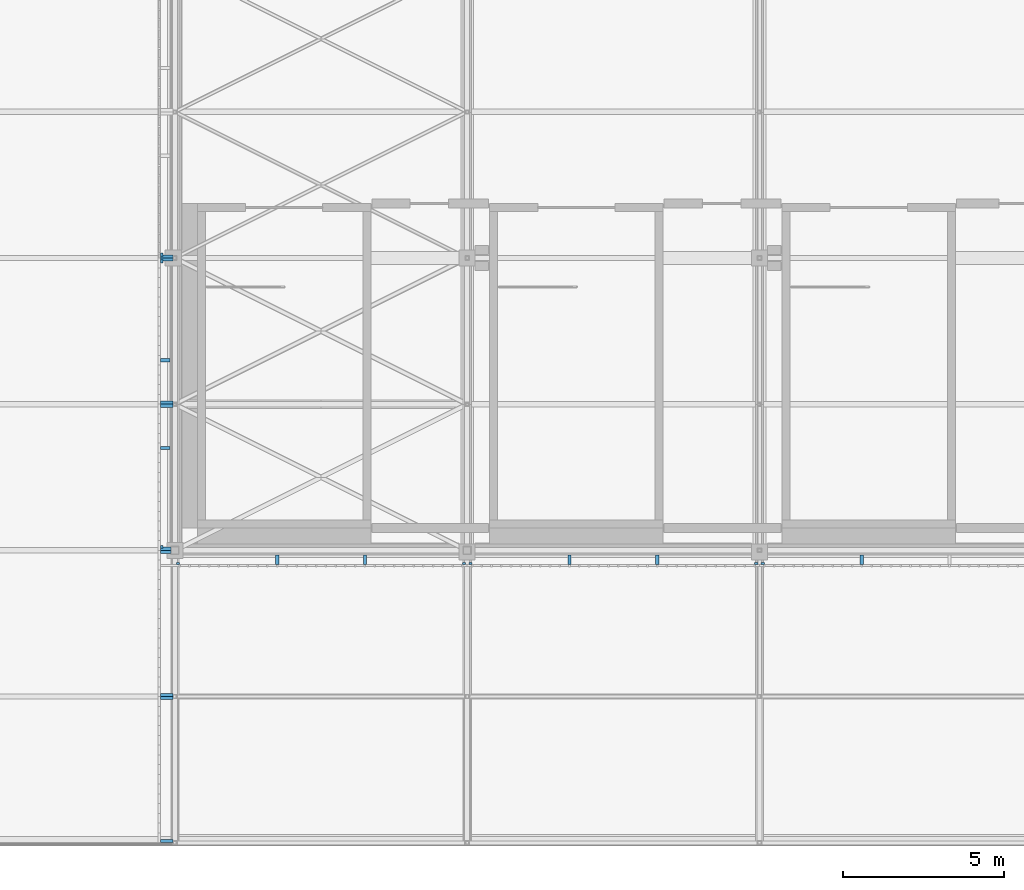
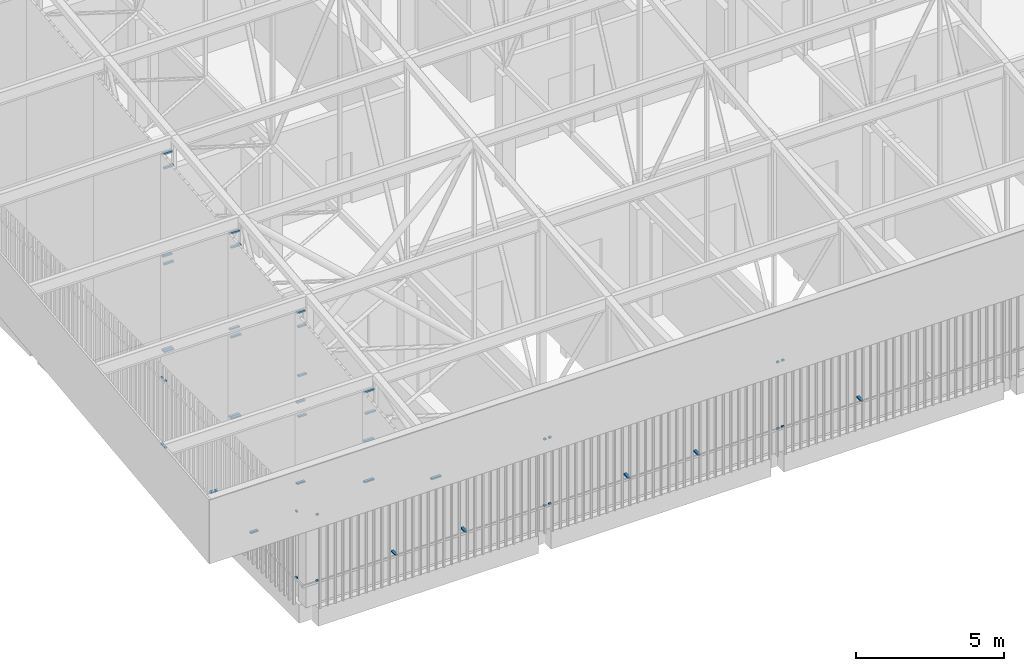
# One storey, part 439 of 500: 46 discrete accessories.
"""IFC4 building model written with IfcOpenShell, lengths in metres."""

from ifc_helpers import new_model, si_unit, direction, frame, origin, origin_2d, place, context, subcontext, project, spatial, rectangle, extrude, material, type_object, element, save


model = new_model("IFC4")

# Units and contexts
model_context = context("Model", 3, precision=1e-05, world=origin(), true_north=direction((0.0, 1.0)))
body_context = subcontext(model_context, "Body", "Model", "MODEL_VIEW")
ifc_project = project(units=[si_unit("LENGTHUNIT", "METRE"), si_unit("AREAUNIT", "SQUARE_METRE"), si_unit("VOLUMEUNIT", "CUBIC_METRE"), si_unit("PLANEANGLEUNIT", "RADIAN"), si_unit("MASSUNIT", "GRAM", prefix="KILO")], contexts=[model_context])

# Site, building, storey
site_placement = place(None, origin())
site = spatial("IfcSite", under=ifc_project, at=site_placement, CompositionType="ELEMENT")
building_placement = place(site_placement, origin())
building = spatial("IfcBuilding", under=site, at=building_placement, Name="Shirokan Park Arena", CompositionType="ELEMENT")
storey_placement = place(building_placement, frame((0.0, 0.0, 29.1201171875)))
storey = spatial("IfcBuildingStorey", under=building, at=storey_placement, Name="L06", CompositionType="ELEMENT", Elevation=29.1201171875)

# Discrete accessories
ifc_material = material(Name="Steel S355", Category="steel")
discrete_accessory_type = type_object("IfcDiscreteAccessoryType", Name="Veil bracket 100x60", PredefinedType="BRACKET", material=ifc_material)
for number, where, z_axis, x_axis, name in (
    (1, (0.10009765625, -0.409912109375, 1.06982421875), (0.0, 0.0, 1.0), (1.0, 0.0, 0.0), "Veil bracket south bay 1 L06 1"),
    (2, (9.0, -0.409912109375, 1.06982421875), (0.0, 0.0, 1.0), (1.0, 0.0, 0.0), "Veil bracket south bay 1 L06 2"),
    (3, (0.10009765625, -0.409912109375, 3.81982421875), (0.0, 0.0, 1.0), (1.0, 0.0, 0.0), "Veil bracket south bay 1 L06 3"),
    (4, (9.0, -0.409912109375, 3.81982421875), (0.0, 0.0, 1.0), (1.0, 0.0, 0.0), "Veil bracket south bay 1 L06 4"),
):
    element("IfcDiscreteAccessory", number, at=place(storey_placement, frame(where, z_axis=z_axis, x_axis=x_axis)), inside=storey, type_object=discrete_accessory_type, Name=name, PredefinedType="BRACKET", context=body_context, shape_type="SweptSolid", body=[
        extrude(rectangle(XDim=0.10009765625, YDim=0.070068359375, at=origin_2d()), origin(), (0.0, 0.0, 1.0), 0.06005859375),
    ])
for number, where, z_axis, x_axis, name in (
    (5, (3.18505859375, -0.297607421875, 1.06982421875), (0.0, 0.0, 1.0), (1.0, 0.0, 0.0), "Veil bracket south bay 1 L06 wall 1"),
    (6, (5.9150390625, -0.297607421875, 1.06982421875), (0.0, 0.0, 1.0), (1.0, 0.0, 0.0), "Veil bracket south bay 1 L06 wall 2"),
):
    element("IfcDiscreteAccessory", number, at=place(storey_placement, frame(where, z_axis=z_axis, x_axis=x_axis)), inside=storey, type_object=discrete_accessory_type, Name=name, PredefinedType="BRACKET", context=body_context, shape_type="SweptSolid", body=[
        extrude(rectangle(XDim=0.10009765625, YDim=0.294921875, at=origin_2d()), origin(), (0.0, 0.0, 1.0), 0.06005859375),
    ])
for number, where, z_axis, x_axis, name in (
    (7, (9.199951171875, -0.409912109375, 1.06982421875), (0.0, 0.0, 1.0), (1.0, 0.0, 0.0), "Veil bracket south bay 2 L06 1"),
    (8, (18.10009765625, -0.409912109375, 1.06982421875), (0.0, 0.0, 1.0), (1.0, 0.0, 0.0), "Veil bracket south bay 2 L06 2"),
    (9, (9.199951171875, -0.409912109375, 3.81982421875), (0.0, 0.0, 1.0), (1.0, 0.0, 0.0), "Veil bracket south bay 2 L06 3"),
    (10, (18.10009765625, -0.409912109375, 3.81982421875), (0.0, 0.0, 1.0), (1.0, 0.0, 0.0), "Veil bracket south bay 2 L06 4"),
):
    element("IfcDiscreteAccessory", number, at=place(storey_placement, frame(where, z_axis=z_axis, x_axis=x_axis)), inside=storey, type_object=discrete_accessory_type, Name=name, PredefinedType="BRACKET", context=body_context, shape_type="SweptSolid", body=[
        extrude(rectangle(XDim=0.10009765625, YDim=0.070068359375, at=origin_2d()), origin(), (0.0, 0.0, 1.0), 0.06005859375),
    ])
for number, where, z_axis, x_axis, name in (
    (11, (12.284912109375, -0.297607421875, 1.06982421875), (0.0, 0.0, 1.0), (1.0, 0.0, 0.0), "Veil bracket south bay 2 L06 wall 1"),
    (12, (15.014892578125, -0.297607421875, 1.06982421875), (0.0, 0.0, 1.0), (1.0, 0.0, 0.0), "Veil bracket south bay 2 L06 wall 2"),
):
    element("IfcDiscreteAccessory", number, at=place(storey_placement, frame(where, z_axis=z_axis, x_axis=x_axis)), inside=storey, type_object=discrete_accessory_type, Name=name, PredefinedType="BRACKET", context=body_context, shape_type="SweptSolid", body=[
        extrude(rectangle(XDim=0.10009765625, YDim=0.294921875, at=origin_2d()), origin(), (0.0, 0.0, 1.0), 0.06005859375),
    ])
for number, where, z_axis, x_axis, name in (
    (13, (18.300048828125, -0.409912109375, 1.06982421875), (0.0, 0.0, 1.0), (1.0, 0.0, 0.0), "Veil bracket south bay 3 L06 1"),
    (14, (18.300048828125, -0.409912109375, 3.81982421875), (0.0, 0.0, 1.0), (1.0, 0.0, 0.0), "Veil bracket south bay 3 L06 3"),
):
    element("IfcDiscreteAccessory", number, at=place(storey_placement, frame(where, z_axis=z_axis, x_axis=x_axis)), inside=storey, type_object=discrete_accessory_type, Name=name, PredefinedType="BRACKET", context=body_context, shape_type="SweptSolid", body=[
        extrude(rectangle(XDim=0.10009765625, YDim=0.070068359375, at=origin_2d()), origin(), (0.0, 0.0, 1.0), 0.06005859375),
    ])
discrete_accessory_placement = place(storey_placement, frame((21.385009765625, -0.297607421875, 1.06982421875), z_axis=(0.0, 0.0, 1.0), x_axis=(1.0, 0.0, 0.0)))
element("IfcDiscreteAccessory", 15, at=discrete_accessory_placement, inside=storey, type_object=discrete_accessory_type, Name="Veil bracket south bay 3 L06 wall 1", PredefinedType="BRACKET", context=body_context, shape_type="SweptSolid", body=[
    extrude(rectangle(XDim=0.10009765625, YDim=0.294921875, at=origin_2d()), origin(), (0.0, 0.0, 1.0), 0.06005859375),
])
for number, where, z_axis, x_axis, name in (
    (16, (-0.409912109375, 9.199951171875, 1.06982421875), (0.0, 0.0, 1.0), (0.0, -1.0, 0.0), "Veil bracket west bay 11 L06 2"),
    (17, (-0.409912109375, 9.199951171875, 3.81982421875), (0.0, 0.0, 1.0), (0.0, -1.0, 0.0), "Veil bracket west bay 11 L06 4"),
    (18, (-0.409912109375, 9.0, 1.06982421875), (0.0, 0.0, 1.0), (0.0, -1.0, 0.0), "Veil bracket west bay 12 L06 1"),
    (19, (-0.409912109375, 0.10009765625, 1.06982421875), (0.0, 0.0, 1.0), (0.0, -1.0, 0.0), "Veil bracket west bay 12 L06 2"),
    (20, (-0.409912109375, 9.0, 3.81982421875), (0.0, 0.0, 1.0), (0.0, -1.0, 0.0), "Veil bracket west bay 12 L06 3"),
    (21, (-0.409912109375, 0.10009765625, 3.81982421875), (0.0, 0.0, 1.0), (0.0, -1.0, 0.0), "Veil bracket west bay 12 L06 4"),
):
    element("IfcDiscreteAccessory", number, at=place(storey_placement, frame(where, z_axis=z_axis, x_axis=x_axis)), inside=storey, type_object=discrete_accessory_type, Name=name, PredefinedType="BRACKET", context=body_context, shape_type="SweptSolid", body=[
        extrude(rectangle(XDim=0.10009765625, YDim=0.070068359375, at=origin_2d()), origin(), (0.0, 0.0, 1.0), 0.06005859375),
    ])
for number, where, z_axis, x_axis, name in (
    (22, (-0.297607421875, 5.9150390625, 1.06982421875), (0.0, 0.0, 1.0), (0.0, -1.0, 0.0), "Veil bracket west bay 12 L06 wall 1"),
    (23, (-0.297607421875, 3.18505859375, 1.06982421875), (0.0, 0.0, 1.0), (0.0, -1.0, 0.0), "Veil bracket west bay 12 L06 wall 2"),
):
    element("IfcDiscreteAccessory", number, at=place(storey_placement, frame(where, z_axis=z_axis, x_axis=x_axis)), inside=storey, type_object=discrete_accessory_type, Name=name, PredefinedType="BRACKET", context=body_context, shape_type="SweptSolid", body=[
        extrude(rectangle(XDim=0.10009765625, YDim=0.294921875, at=origin_2d()), origin(), (0.0, 0.0, 1.0), 0.06005859375),
    ])
for number, where, z_axis, x_axis, name in (
    (24, (-0.2509765625, -9.050048828125, 10.712646484375), (0.0, 0.0, 1.0), (1.0, 0.0, 0.0), "Veil bracket gable band west bay 1 1"),
    (25, (-0.2509765625, -4.60009765625, 10.712646484375), (0.0, 0.0, 1.0), (1.0, 0.0, 0.0), "Veil bracket gable band west bay 1 2"),
    (26, (-0.2509765625, -4.5, 7.82568359375), (0.0, 0.0, 1.0), (1.0, 0.0, 0.0), "Veil bracket gable band west bay 2 1"),
    (27, (-0.2509765625, -4.5, 9.5087890625), (0.0, 0.0, 1.0), (1.0, 0.0, 0.0), "Veil bracket gable band west bay 2 2"),
    (28, (-0.2509765625, -4.5, 11.541748046875), (0.0, 0.0, 1.0), (1.0, 0.0, 0.0), "Veil bracket gable band west bay 2 3"),
):
    element("IfcDiscreteAccessory", number, at=place(storey_placement, frame(where, z_axis=z_axis, x_axis=x_axis)), inside=storey, type_object=discrete_accessory_type, Name=name, PredefinedType="BRACKET", context=body_context, shape_type="SweptSolid", body=[
        extrude(rectangle(XDim=0.387939453125, YDim=0.10009765625, at=origin_2d()), origin(), (0.0, 0.0, 1.0), 0.06005859375),
    ])
for number, where, z_axis, x_axis, name in (
    (29, (-0.285888671875, -0.050048828125, 7.82568359375), (0.0, 0.0, 1.0), (1.0, 0.0, 0.0), "Veil bracket gable band west bay 2 4"),
    (30, (-0.285888671875, -0.050048828125, 9.5087890625), (0.0, 0.0, 1.0), (1.0, 0.0, 0.0), "Veil bracket gable band west bay 2 5"),
    (31, (-0.285888671875, -0.050048828125, 11.541748046875), (0.0, 0.0, 1.0), (1.0, 0.0, 0.0), "Veil bracket gable band west bay 2 6"),
    (32, (-0.285888671875, 0.050048828125, 4.995849609375), (0.0, 0.0, 1.0), (1.0, 0.0, 0.0), "Veil bracket gable band west bay 3 1"),
    (33, (-0.285888671875, 0.050048828125, 8.353759765625), (0.0, 0.0, 1.0), (1.0, 0.0, 0.0), "Veil bracket gable band west bay 3 2"),
    (34, (-0.285888671875, 0.050048828125, 12.061767578125), (0.0, 0.0, 1.0), (1.0, 0.0, 0.0), "Veil bracket gable band west bay 3 3"),
):
    element("IfcDiscreteAccessory", number, at=place(storey_placement, frame(where, z_axis=z_axis, x_axis=x_axis)), inside=storey, type_object=discrete_accessory_type, Name=name, PredefinedType="BRACKET", context=body_context, shape_type="SweptSolid", body=[
        extrude(rectangle(XDim=0.318115234375, YDim=0.10009765625, at=origin_2d()), origin(), (0.0, 0.0, 1.0), 0.06005859375),
    ])
for number, where, z_axis, x_axis, name in (
    (35, (-0.2509765625, 4.5, 4.995849609375), (0.0, 0.0, 1.0), (1.0, 0.0, 0.0), "Veil bracket gable band west bay 3 4"),
    (36, (-0.2509765625, 4.5, 8.353759765625), (0.0, 0.0, 1.0), (1.0, 0.0, 0.0), "Veil bracket gable band west bay 3 5"),
    (37, (-0.2509765625, 4.5, 12.061767578125), (0.0, 0.0, 1.0), (1.0, 0.0, 0.0), "Veil bracket gable band west bay 3 6"),
    (38, (-0.2509765625, 4.60009765625, 4.995849609375), (0.0, 0.0, 1.0), (1.0, 0.0, 0.0), "Veil bracket gable band west bay 4 1"),
    (39, (-0.2509765625, 4.60009765625, 8.61376953125), (0.0, 0.0, 1.0), (1.0, 0.0, 0.0), "Veil bracket gable band west bay 4 2"),
    (40, (-0.2509765625, 4.60009765625, 12.581787109375), (0.0, 0.0, 1.0), (1.0, 0.0, 0.0), "Veil bracket gable band west bay 4 3"),
):
    element("IfcDiscreteAccessory", number, at=place(storey_placement, frame(where, z_axis=z_axis, x_axis=x_axis)), inside=storey, type_object=discrete_accessory_type, Name=name, PredefinedType="BRACKET", context=body_context, shape_type="SweptSolid", body=[
        extrude(rectangle(XDim=0.387939453125, YDim=0.10009765625, at=origin_2d()), origin(), (0.0, 0.0, 1.0), 0.06005859375),
    ])
for number, where, z_axis, x_axis, name in (
    (41, (-0.254150390625, 9.050048828125, 4.995849609375), (0.0, 0.0, 1.0), (1.0, 0.0, 0.0), "Veil bracket gable band west bay 4 4"),
    (42, (-0.254150390625, 9.050048828125, 8.61376953125), (0.0, 0.0, 1.0), (1.0, 0.0, 0.0), "Veil bracket gable band west bay 4 5"),
    (43, (-0.254150390625, 9.050048828125, 12.581787109375), (0.0, 0.0, 1.0), (1.0, 0.0, 0.0), "Veil bracket gable band west bay 4 6"),
    (44, (-0.254150390625, 9.14990234375, 4.995849609375), (0.0, 0.0, 1.0), (1.0, 0.0, 0.0), "Veil bracket gable band west bay 5 1"),
    (45, (-0.254150390625, 9.14990234375, 8.873779296875), (0.0, 0.0, 1.0), (1.0, 0.0, 0.0), "Veil bracket gable band west bay 5 2"),
    (46, (-0.254150390625, 9.14990234375, 13.101806640625), (0.0, 0.0, 1.0), (1.0, 0.0, 0.0), "Veil bracket gable band west bay 5 3"),
):
    element("IfcDiscreteAccessory", number, at=place(storey_placement, frame(where, z_axis=z_axis, x_axis=x_axis)), inside=storey, type_object=discrete_accessory_type, Name=name, PredefinedType="BRACKET", context=body_context, shape_type="SweptSolid", body=[
        extrude(rectangle(XDim=0.381591796875, YDim=0.10009765625, at=origin_2d()), origin(), (0.0, 0.0, 1.0), 0.06005859375),
    ])

save(model, "model.ifc")
